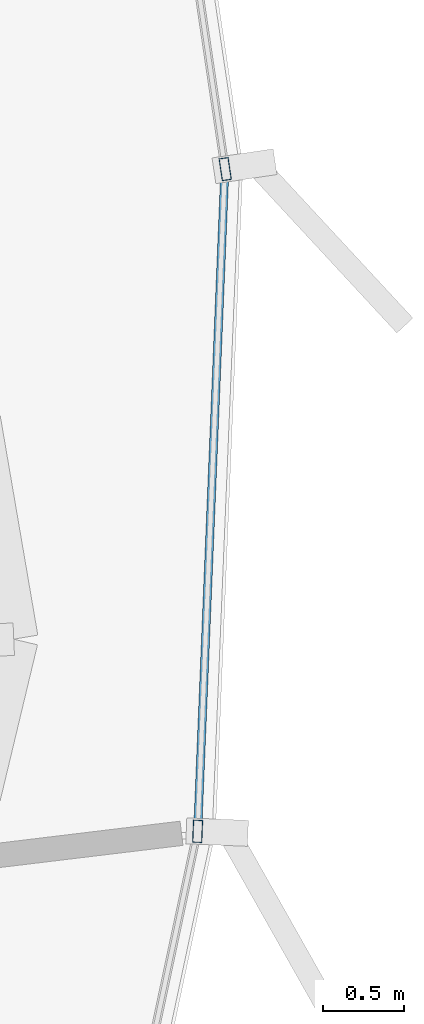
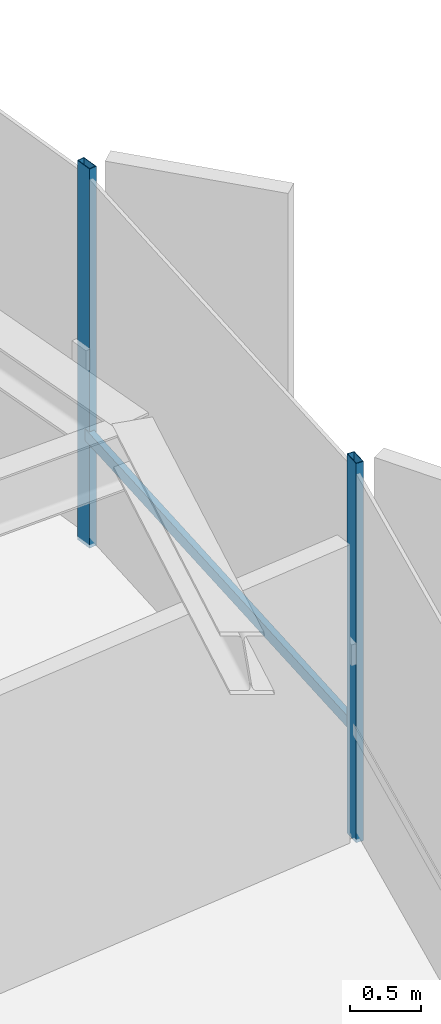
# One storey, part 20 of 36: 3 members, 1 element without a shape of its own.
"""IFC4 building model written with IfcOpenShell, lengths in metres."""

from ifc_helpers import new_model, si_unit, direction, frame, origin, origin_2d, place, context, subcontext, project, spatial, hollow_rectangle, extrude, source, transform, mapped, material, layer, layer_set, material_profile, profile_set, type_object, element, aggregate, save


model = new_model("IFC4")

# Units and contexts
model_context = context("Model", 3, precision=1e-05, world=origin(), true_north=direction((0.0, 1.0)))
body_context = subcontext(model_context, "Body", "Model", "MODEL_VIEW")
ifc_project = project(units=[si_unit("LENGTHUNIT", "METRE"), si_unit("AREAUNIT", "SQUARE_METRE"), si_unit("VOLUMEUNIT", "CUBIC_METRE"), si_unit("PLANEANGLEUNIT", "RADIAN"), si_unit("MASSUNIT", "GRAM", prefix="KILO"), si_unit("THERMODYNAMICTEMPERATUREUNIT", "KELVIN")], contexts=[model_context])

# Site, building, storey
site_placement = place(None, origin())
site = spatial("IfcSite", under=ifc_project, at=site_placement, CompositionType="ELEMENT")
building_placement = place(site_placement, origin())
building = spatial("IfcBuilding", under=site, at=building_placement, Name="Kethvar Cultural Tower", CompositionType="ELEMENT")
storey_placement = place(building_placement, frame((0.0, 0.0, 197.39990234375)))
storey = spatial("IfcBuildingStorey", under=building, at=storey_placement, Name="L51", CompositionType="ELEMENT", Elevation=197.39990234375)

# Curtain wall, members
ifc_material = material(Name="Aluminium 6063-T6", Category="aluminium")
ifc_layer = layer(ifc_material, 0.179931640625, Name="Aluminium 6063-T6", Category="aluminium")
ifc_layer_set = layer_set([ifc_layer], Name="Aluminium 6063-T6 (180 mm)")
curtain_wall_type = type_object("IfcCurtainWallType", Name="CW-SYS-04-Z34", PredefinedType="NOTDEFINED", material=ifc_layer_set)
curtain_wall_placement = place(storey_placement, origin())
curtain_wall = element("IfcCurtainWall", 1, at=curtain_wall_placement, inside=storey, type_object=curtain_wall_type, Name="L51 Curtain Wall Run 06", PredefinedType="NOTDEFINED")
ifc_material_profile_1 = material_profile(ifc_material, hollow_rectangle(XDim=0.06005859375, YDim=0.139892578125, WallThickness=0.0048828125, at=origin_2d()), Name="Aluminium 6063-T6 — RHS140x60x5")
ifc_profile_set_1 = profile_set([ifc_material_profile_1], Name="Aluminium 6063-T6 — RHS140x60x5")
member_type_1 = type_object("IfcMemberType", Name="CW-SYS-04-Z34-MUL", PredefinedType="MULLION", material=ifc_profile_set_1)
shared_shape_1 = source(origin(), body_context, "Body", "SweptSolid", [
    extrude(hollow_rectangle(XDim=0.06005859375, YDim=0.139892578125, WallThickness=0.0048828125, at=origin_2d()), origin(), (0.0, 0.0, 1.0), 3.260009765625),
])
member_1_placement = place(storey_placement, frame((70.892333984375, 30.689697265625, 0.0), z_axis=(0.0, 0.0, 1.0), x_axis=(-0.999155411002, 0.041090931659, 0.0)))
member_1 = element("IfcMember", 2, at=member_1_placement, type_object=member_type_1, Name="CW-L51-R06 Mullion 3", PredefinedType="MULLION", context=body_context, shape_type="MappedRepresentation", body=[
    mapped(shared_shape_1, transform((0.0, 0.0, 0.0), scale=1.0)),
])
member_2_placement = place(storey_placement, frame((71.06201171875, 34.763671875, 0.0), z_axis=(0.0, 0.0, 1.0), x_axis=(-0.989121380331, -0.147101648436, 0.0)))
member_2 = element("IfcMember", 3, at=member_2_placement, type_object=member_type_1, Name="CW-L51-R06 Mullion 4", PredefinedType="MULLION", context=body_context, shape_type="MappedRepresentation", body=[
    mapped(shared_shape_1, transform((0.0, 0.0, 0.0), scale=1.0)),
])
ifc_material_profile_2 = material_profile(ifc_material, hollow_rectangle(XDim=0.050048828125, YDim=0.10009765625, WallThickness=0.00390625, at=origin_2d()), Name="Aluminium 6063-T6 — RHS100x50x4")
ifc_profile_set_2 = profile_set([ifc_material_profile_2], Name="Aluminium 6063-T6 — RHS100x50x4")
member_type_2 = type_object("IfcMemberType", Name="CW-SYS-04-Z34-TRN", PredefinedType="USERDEFINED", material=ifc_profile_set_2)
shared_shape_2 = source(origin(), body_context, "Body", "SweptSolid", [
    extrude(hollow_rectangle(XDim=0.050048828125, YDim=0.10009765625, WallThickness=0.00390625, at=origin_2d()), origin(), (0.0, 0.0, 1.0), 4.01171875),
])
member_3_placement = place(storey_placement, frame((70.894287109375, 30.73291015625, 0.9501953125), z_axis=(0.041078708837, 0.999155913599, 0.0), x_axis=(-0.999155913599, 0.041078708837, 0.0)))
member_3 = element("IfcMember", 4, at=member_3_placement, type_object=member_type_2, Name="CW-L51-R06 Transom 3", ObjectType="TRANSOM", PredefinedType="USERDEFINED", context=body_context, shape_type="MappedRepresentation", body=[
    mapped(shared_shape_2, transform((0.0, 0.0, 0.0), scale=1.0)),
])
aggregate(curtain_wall, [member_1, member_2, member_3])

save(model, "model.ifc")
